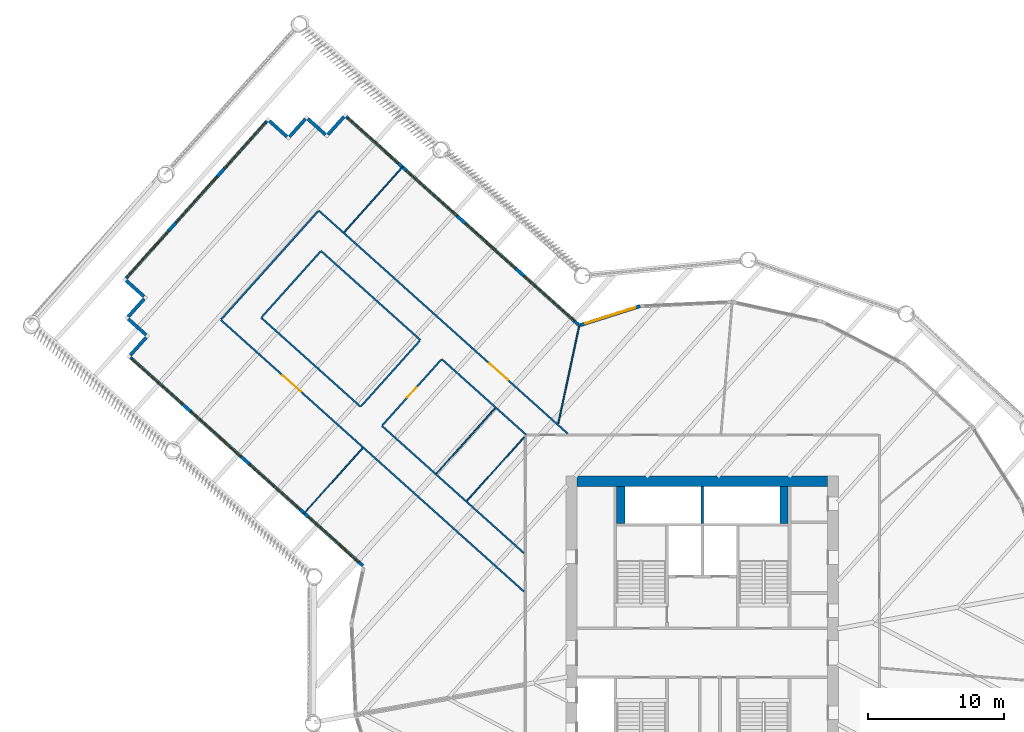
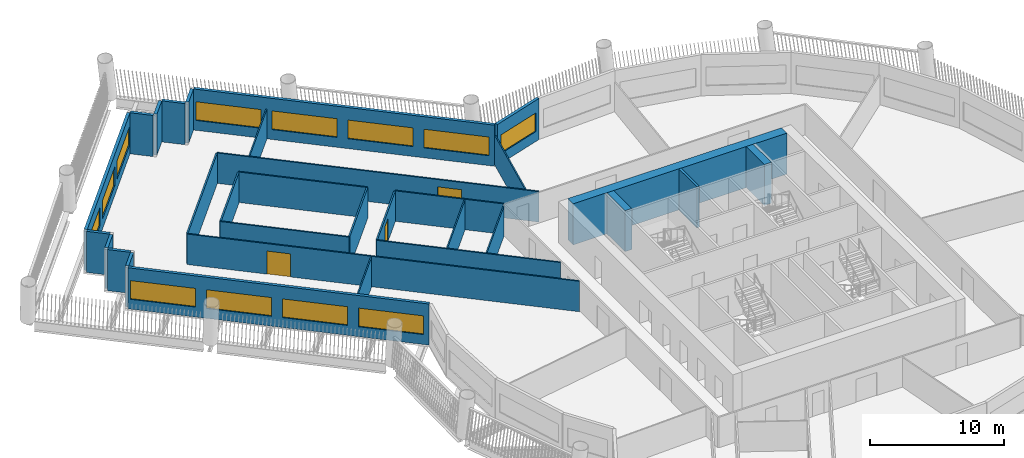
# One storey, part 6 of 16: 31 walls, 12 windows, 3 doors, 15 openings.
"""IFC4 building model written with IfcOpenShell, lengths in metres."""

from ifc_helpers import new_model, si_unit, direction, frame, frame_2d, origin, place, context, subcontext, project, spatial, rectangle, extrude, material, layer, layer_set, type_object, element, fill, save


model = new_model("IFC4")

# Units and contexts
model_context = context("Model", 3, precision=1e-05, world=origin(), true_north=direction((0.0, 1.0)))
body_context = subcontext(model_context, "Body", "Model", "MODEL_VIEW")
ifc_project = project(units=[si_unit("LENGTHUNIT", "METRE"), si_unit("AREAUNIT", "SQUARE_METRE"), si_unit("VOLUMEUNIT", "CUBIC_METRE"), si_unit("PLANEANGLEUNIT", "RADIAN"), si_unit("MASSUNIT", "GRAM", prefix="KILO")], contexts=[model_context])

# Site, building, storey
site_placement = place(None, origin())
site = spatial("IfcSite", under=ifc_project, at=site_placement, CompositionType="ELEMENT")
building_placement = place(site_placement, origin())
building = spatial("IfcBuilding", under=site, at=building_placement, Name="Tarsis Ring Headquarters", CompositionType="ELEMENT")
storey_placement = place(building_placement, frame((0.0, 0.0, 96.699951171875)))
storey = spatial("IfcBuildingStorey", under=building, at=storey_placement, Name="L21", CompositionType="ELEMENT", Elevation=96.699951171875)

# Walls
ifc_material_1 = material(Name="Concrete C60/75", Category="concrete")
ifc_layer_1 = layer(ifc_material_1, 0.800048828125)
ifc_layer_set_1 = layer_set([ifc_layer_1], Name="Core wall 800 C60/75")
wall_type_1 = type_object("IfcWallType", Name="Core wall 800 C60/75", PredefinedType="SHEAR", material=ifc_layer_set_1)
wall_1_placement = place(storey_placement, frame((-9.199951171875, 12.60009765625, 0.0), z_axis=(0.0, 0.0, 1.0), x_axis=(1.0, 0.0, 0.0)))
element("IfcWall", 1, at=wall_1_placement, inside=storey, type_object=wall_type_1, Name="Core wall ON", PredefinedType="SHEAR", context=body_context, shape_type="SweptSolid", body=[
    extrude(rectangle(XDim=18.39990234375, YDim=0.800048828125, at=frame_2d((9.199951171875, 0.0))), origin(), (0.0, 0.0, 1.0), 3.739990234375),
])
ifc_material_2 = material(Name="Gypsum board on steel studs", Category="steel")
ifc_layer_2 = layer(ifc_material_2, 0.10009765625)
ifc_layer_set_2 = layer_set([ifc_layer_2], Name="FL partition 100 unrated")
wall_type_2 = type_object("IfcWallType", Name="FL partition 100 unrated", PredefinedType="PARTITIONING", material=ifc_layer_set_2)
wall_2_placement = place(storey_placement, frame((-10.585205078125, 16.827880859375, 0.0), z_axis=(0.0, 0.0, 1.0), x_axis=(0.209780226428, 0.977748565123, 0.0)))
element("IfcWall", 2, at=wall_2_placement, inside=storey, type_object=wall_type_2, Name="Partition PW3", PredefinedType="PARTITIONING", context=body_context, shape_type="SweptSolid", body=[
    extrude(rectangle(XDim=7.435546875, YDim=0.10009765625, at=frame_2d((3.7177734375, 0.0))), origin(), (0.0, 0.0, 1.0), 2.699951171875),
])
wall_3_placement = place(storey_placement, frame((-19.5244140625, 13.170166015625, 0.0), z_axis=(0.0, 0.0, 1.0), x_axis=(0.667321052079, 0.744770174921, 0.0)))
element("IfcWall", 3, at=wall_3_placement, inside=storey, type_object=wall_type_2, Name="Partition PW3", PredefinedType="PARTITIONING", context=body_context, shape_type="SweptSolid", body=[
    extrude(rectangle(XDim=6.440185546875, YDim=0.10009765625, at=frame_2d((3.22021484375, 0.0))), origin(), (0.0, 0.0, 1.0), 2.699951171875),
])
wall_4_placement = place(storey_placement, frame((-17.28271484375, 11.16162109375, 0.0), z_axis=(0.0, 0.0, 1.0), x_axis=(0.667316148159, 0.744774568851, 0.0)))
element("IfcWall", 4, at=wall_4_placement, inside=storey, type_object=wall_type_2, Name="Partition PW3", PredefinedType="PARTITIONING", context=body_context, shape_type="SweptSolid", body=[
    extrude(rectangle(XDim=6.28173828125, YDim=0.10009765625, at=frame_2d((3.140869140625, 0.0))), origin(), (0.0, 0.0, 1.0), 2.699951171875),
])
for number, where, z_axis, x_axis, name in (
    (5, (-26.303955078125, 30.899169921875, 0.0), (0.0, 0.0, 1.0), (0.667317016014, 0.744773791254, 0.0), "Partition PW3"),
    (6, (-29.289794921875, 10.198486328125, 0.0), (0.0, 0.0, 1.0), (0.667317016014, 0.744773791254, 0.0), "Partition PW3"),
):
    element("IfcWall", number, at=place(storey_placement, frame(where, z_axis=z_axis, x_axis=x_axis)), inside=storey, type_object=wall_type_2, Name=name, PredefinedType="PARTITIONING", context=body_context, shape_type="SweptSolid", body=[
        extrude(rectangle(XDim=6.489990234375, YDim=0.10009765625, at=frame_2d((3.2451171875, 0.0))), origin(), (0.0, 0.0, 1.0), 2.699951171875),
    ])

# Wall, opening, door
ifc_layer_3 = layer(ifc_material_2, 0.125)
ifc_layer_set_3 = layer_set([ifc_layer_3], Name="FL partition 125 EI 60 H2770")
wall_type_3 = type_object("IfcWallType", Name="FL partition 125 EI 60 H2770", PredefinedType="PARTITIONING", material=ifc_layer_set_3)
wall_5_placement = place(storey_placement, frame((-35.361572265625, 24.446533203125, 0.0), z_axis=(0.0, 0.0, 1.0), x_axis=(0.744779778645, -0.667310333595, 0.0)))
wall_5 = element("IfcWall", 7, at=wall_5_placement, inside=storey, type_object=wall_type_3, Name="Partition PW1", PredefinedType="PARTITIONING", context=body_context, shape_type="SweptSolid", body=[
    extrude(rectangle(XDim=29.89453125, YDim=0.125, at=frame_2d((14.947265625, 0.0))), origin(), (0.0, 0.0, 1.0), 2.77001953125),
])
opening_1_placement = place(wall_5_placement, frame((6.10009765625, 0.0, 0.0)))
opening_1 = element("IfcOpeningElement", 8, at=opening_1_placement, cuts=wall_5, Name="Opening D21.01", PredefinedType="OPENING", context=body_context, shape_type="SweptSolid", body=[
    extrude(rectangle(XDim=1.800048828125, YDim=2.10009765625, at=frame_2d((0.89990234375, 1.050048828125))), frame((0.0, 0.072509765625, 0.0), z_axis=(0.0, -1.0, 0.0), x_axis=(1.0, 0.0, 0.0)), (0.0, 0.0, 1.0), 0.14501953125),
])
ifc_material_3 = material(Name="Fire-rated timber door leaf in steel frame", Category="steel")
door_type_1 = type_object("IfcDoorType", Name="FL door FD60-1800", OperationType="DOUBLE_DOOR_SINGLE_SWING", PredefinedType="DOOR", material=ifc_material_3)
door_1_placement = place(opening_1_placement, origin())
door_1 = element("IfcDoor", 9, at=door_1_placement, inside=storey, type_object=door_type_1, Name="Door D21.01", OperationType="DOUBLE_DOOR_SINGLE_SWING", OverallHeight=2.10009765625, OverallWidth=1.800048828125, PredefinedType="DOOR", context=body_context, shape_type="SweptSolid", body=[
    extrude(rectangle(XDim=1.800048828125, YDim=2.10009765625, at=frame_2d((0.89990234375, 1.050048828125))), frame((0.0, 0.02490234375, 0.0), z_axis=(0.0, -1.0, 0.0), x_axis=(1.0, 0.0, 0.0)), (0.0, 0.0, 1.0), 0.050048828125),
])
fill(opening_1, door_1)

wall_6_placement = place(storey_placement, frame((-28.16796875, 32.47509765625, 0.0), z_axis=(0.0, 0.0, 1.0), x_axis=(0.744781869639, -0.667307999845, 0.0)))
wall_6 = element("IfcWall", 10, at=wall_6_placement, inside=storey, type_object=wall_type_3, Name="Partition PW1", PredefinedType="PARTITIONING", context=body_context, shape_type="SweptSolid", body=[
    extrude(rectangle(XDim=24.538818359375, YDim=0.125, at=frame_2d((12.26953125, 0.0))), origin(), (0.0, 0.0, 1.0), 2.77001953125),
])
opening_2_placement = place(wall_6_placement, frame((16.839599609375, 0.0, 0.0)))
opening_2 = element("IfcOpeningElement", 11, at=opening_2_placement, cuts=wall_6, Name="Opening D21.02", PredefinedType="OPENING", context=body_context, shape_type="SweptSolid", body=[
    extrude(rectangle(XDim=1.800048828125, YDim=2.10009765625, at=frame_2d((0.89990234375, 1.050048828125))), frame((0.0, 0.072509765625, 0.0), z_axis=(0.0, -1.0, 0.0), x_axis=(1.0, 0.0, 0.0)), (0.0, 0.0, 1.0), 0.14501953125),
])
door_2_placement = place(opening_2_placement, origin())
door_2 = element("IfcDoor", 12, at=door_2_placement, inside=storey, type_object=door_type_1, Name="Door D21.02", OperationType="DOUBLE_DOOR_SINGLE_SWING", OverallHeight=2.10009765625, OverallWidth=1.800048828125, PredefinedType="DOOR", context=body_context, shape_type="SweptSolid", body=[
    extrude(rectangle(XDim=1.800048828125, YDim=2.10009765625, at=frame_2d((0.89990234375, 1.050048828125))), frame((0.0, 0.02490234375, 0.0), z_axis=(0.0, -1.0, 0.0), x_axis=(1.0, 0.0, 0.0)), (0.0, 0.0, 1.0), 0.050048828125),
])
fill(opening_2, door_2)

# Walls
wall_7_placement = place(storey_placement, frame((-23.533203125, 16.668212890625, 0.0), z_axis=(0.0, 0.0, 1.0), x_axis=(0.744775442744, -0.667315172827, 0.0)))
element("IfcWall", 13, at=wall_7_placement, inside=storey, type_object=wall_type_3, Name="Partition PW1", PredefinedType="PARTITIONING", context=body_context, shape_type="SweptSolid", body=[
    extrude(rectangle(XDim=14.012939453125, YDim=0.125, at=frame_2d((7.00634765625, 0.0))), origin(), (0.0, 0.0, 1.0), 2.77001953125),
])
wall_8_placement = place(storey_placement, frame((-35.321533203125, 24.4912109375, 0.0), z_axis=(0.0, 0.0, 1.0), x_axis=(0.667305495508, 0.744784113461, 0.0)))
element("IfcWall", 14, at=wall_8_placement, inside=storey, type_object=wall_type_3, Name="Partition PW1", PredefinedType="PARTITIONING", context=body_context, shape_type="SweptSolid", body=[
    extrude(rectangle(XDim=10.66015625, YDim=0.125, at=frame_2d((5.330078125, 0.0))), origin(), (0.0, 0.0, 1.0), 2.77001953125),
])
for number, where, z_axis, x_axis, name in (
    (15, (-32.396240234375, 24.609130859375, 0.0), (0.0, 0.0, 1.0), (0.744783744911, -0.66730590685, 0.0), "Partition PW1"),
    (16, (-28.00537109375, 29.510009765625, 0.0), (0.0, 0.0, 1.0), (0.744771363517, -0.667319725533, 0.0), "Partition PW1"),
):
    element("IfcWall", number, at=place(storey_placement, frame(where, z_axis=z_axis, x_axis=x_axis)), inside=storey, type_object=wall_type_3, Name=name, PredefinedType="PARTITIONING", context=body_context, shape_type="SweptSolid", body=[
        extrude(rectangle(XDim=9.800048828125, YDim=0.125, at=frame_2d((4.89990234375, 0.0))), origin(), (0.0, 0.0, 1.0), 2.77001953125),
    ])
wall_9_placement = place(storey_placement, frame((-19.142333984375, 21.56884765625, 0.0), z_axis=(0.0, 0.0, 1.0), x_axis=(0.744772707764, -0.667318225264, 0.0)))
element("IfcWall", 17, at=wall_9_placement, inside=storey, type_object=wall_type_3, Name="Partition PW1", PredefinedType="PARTITIONING", context=body_context, shape_type="SweptSolid", body=[
    extrude(rectangle(XDim=8.315185546875, YDim=0.125, at=frame_2d((4.15771484375, 0.0))), origin(), (0.0, 0.0, 1.0), 2.77001953125),
])

# Wall, opening, door
wall_10_placement = place(storey_placement, frame((-23.493408203125, 16.712890625, 0.0), z_axis=(0.0, 0.0, 1.0), x_axis=(0.667307288258, 0.744782507204, 0.0)))
wall_10 = element("IfcWall", 18, at=wall_10_placement, inside=storey, type_object=wall_type_3, Name="Partition PW1", PredefinedType="PARTITIONING", context=body_context, shape_type="SweptSolid", body=[
    extrude(rectangle(XDim=6.4599609375, YDim=0.125, at=frame_2d((3.22998046875, 0.0))), origin(), (0.0, 0.0, 1.0), 2.77001953125),
])
opening_3_placement = place(wall_10_placement, frame((2.72998046875, 0.0, 0.0)))
opening_3 = element("IfcOpeningElement", 19, at=opening_3_placement, cuts=wall_10, Name="Opening D21.14", PredefinedType="OPENING", context=body_context, shape_type="SweptSolid", body=[
    extrude(rectangle(XDim=1.0, YDim=2.10009765625, at=frame_2d((0.5, 1.050048828125))), frame((0.0, 0.072509765625, 0.0), z_axis=(0.0, -1.0, 0.0), x_axis=(1.0, 0.0, 0.0)), (0.0, 0.0, 1.0), 0.14501953125),
])
door_type_2 = type_object("IfcDoorType", Name="FL door FD60-1000", OperationType="NOTDEFINED", PredefinedType="DOOR", material=ifc_material_3)
door_3_placement = place(opening_3_placement, origin())
door_3 = element("IfcDoor", 20, at=door_3_placement, inside=storey, type_object=door_type_2, Name="Door D21.14", OperationType="SINGLE_SWING_LEFT", OverallHeight=2.10009765625, OverallWidth=1.0, PredefinedType="DOOR", context=body_context, shape_type="SweptSolid", body=[
    extrude(rectangle(XDim=1.0, YDim=2.10009765625, at=frame_2d((0.5, 1.050048828125))), frame((0.0, 0.02490234375, 0.0), z_axis=(0.0, -1.0, 0.0), x_axis=(1.0, 0.0, 0.0)), (0.0, 0.0, 1.0), 0.050048828125),
])
fill(opening_3, door_3)

# Walls
for number, where, z_axis, x_axis, name in (
    (21, (-25.057373046875, 18.1142578125, 0.0), (0.0, 0.0, 1.0), (0.667307288258, 0.744782507204, 0.0), "Partition PW1"),
    (22, (-32.356201171875, 24.65380859375, 0.0), (0.0, 0.0, 1.0), (0.667307288258, 0.744782507204, 0.0), "Partition PW1"),
):
    element("IfcWall", number, at=place(storey_placement, frame(where, z_axis=z_axis, x_axis=x_axis)), inside=storey, type_object=wall_type_3, Name=name, PredefinedType="PARTITIONING", context=body_context, shape_type="SweptSolid", body=[
        extrude(rectangle(XDim=6.4599609375, YDim=0.125, at=frame_2d((3.22998046875, 0.0))), origin(), (0.0, 0.0, 1.0), 2.77001953125),
    ])

# Wall, openings, windows
ifc_material_4 = material(Name="Terracotta clad insulated panel wall", Category="masonry")
ifc_layer_4 = layer(ifc_material_4, 0.25)
ifc_layer_set_4 = layer_set([ifc_layer_4], Name="Facade wall terracotta panel 250")
wall_type_4 = type_object("IfcWallType", Name="Facade wall terracotta panel 250", PredefinedType="STANDARD", material=ifc_layer_set_4)
wall_11_placement = place(storey_placement, frame((-41.997802734375, 21.685302734375, 0.0), z_axis=(0.0, 0.0, 1.0), x_axis=(0.744777325959, -0.667313071008, 0.0)))
wall_11 = element("IfcWall", 23, at=wall_11_placement, inside=storey, type_object=wall_type_4, Name="External wall L21-01", PredefinedType="STANDARD", context=body_context, shape_type="SweptSolid", body=[
    extrude(rectangle(XDim=22.921875, YDim=0.25, at=frame_2d((11.4609375, 0.0))), origin(), (0.0, 0.0, 1.0), 3.739990234375),
])
opening_4_placement = place(wall_11_placement, frame((0.17138671875, 0.0, 0.89990234375)))
opening_4 = element("IfcOpeningElement", 24, at=opening_4_placement, cuts=wall_11, Name="Opening WN05", PredefinedType="OPENING", context=body_context, shape_type="SweptSolid", body=[
    extrude(rectangle(XDim=4.949951171875, YDim=1.699951171875, at=frame_2d((2.47509765625, 0.85009765625))), frame((0.0, 0.135009765625, 0.0), z_axis=(0.0, -1.0, 0.0), x_axis=(1.0, 0.0, 0.0)), (0.0, 0.0, 1.0), 0.27001953125),
])
opening_5_placement = place(wall_11_placement, frame((5.964599609375, 0.0, 0.89990234375)))
opening_5 = element("IfcOpeningElement", 25, at=opening_5_placement, cuts=wall_11, Name="Opening WN05", PredefinedType="OPENING", context=body_context, shape_type="SweptSolid", body=[
    extrude(rectangle(XDim=4.949951171875, YDim=1.699951171875, at=frame_2d((2.47509765625, 0.85009765625))), frame((0.0, 0.135009765625, 0.0), z_axis=(0.0, -1.0, 0.0), x_axis=(1.0, 0.0, 0.0)), (0.0, 0.0, 1.0), 0.27001953125),
])
opening_6_placement = place(wall_11_placement, frame((11.757568359375, 0.0, 0.89990234375)))
opening_6 = element("IfcOpeningElement", 26, at=opening_6_placement, cuts=wall_11, Name="Opening WN05", PredefinedType="OPENING", context=body_context, shape_type="SweptSolid", body=[
    extrude(rectangle(XDim=4.949951171875, YDim=1.699951171875, at=frame_2d((2.47509765625, 0.85009765625))), frame((0.0, 0.135009765625, 0.0), z_axis=(0.0, -1.0, 0.0), x_axis=(1.0, 0.0, 0.0)), (0.0, 0.0, 1.0), 0.27001953125),
])
opening_7_placement = place(wall_11_placement, frame((17.550537109375, 0.0, 0.89990234375)))
opening_7 = element("IfcOpeningElement", 27, at=opening_7_placement, cuts=wall_11, Name="Opening WN05", PredefinedType="OPENING", context=body_context, shape_type="SweptSolid", body=[
    extrude(rectangle(XDim=4.949951171875, YDim=1.699951171875, at=frame_2d((2.47509765625, 0.85009765625))), frame((0.0, 0.135009765625, 0.0), z_axis=(0.0, -1.0, 0.0), x_axis=(1.0, 0.0, 0.0)), (0.0, 0.0, 1.0), 0.27001953125),
])
ifc_material_5 = material(Name="Aluminium framed double glazing", Category="aluminium")
window_type_1 = type_object("IfcWindowType", Name="Facade window 4950 x 1700", PartitioningType="SINGLE_PANEL", PredefinedType="WINDOW", material=ifc_material_5)
window_1_placement = place(opening_4_placement, origin())
window_1 = element("IfcWindow", 28, at=window_1_placement, inside=storey, type_object=window_type_1, Name="Window L21-01.1", OverallHeight=1.699951171875, OverallWidth=4.949951171875, PartitioningType="SINGLE_PANEL", PredefinedType="WINDOW", context=body_context, shape_type="SweptSolid", body=[
    extrude(rectangle(XDim=4.949951171875, YDim=1.699951171875, at=frame_2d((2.47509765625, 0.85009765625))), frame((0.0, 0.030029296875, 0.0), z_axis=(0.0, -1.0, 0.0), x_axis=(1.0, 0.0, 0.0)), (0.0, 0.0, 1.0), 0.06005859375),
])
fill(opening_4, window_1)
window_2_placement = place(opening_5_placement, origin())
window_2 = element("IfcWindow", 29, at=window_2_placement, inside=storey, type_object=window_type_1, Name="Window L21-01.2", OverallHeight=1.699951171875, OverallWidth=4.949951171875, PartitioningType="SINGLE_PANEL", PredefinedType="WINDOW", context=body_context, shape_type="SweptSolid", body=[
    extrude(rectangle(XDim=4.949951171875, YDim=1.699951171875, at=frame_2d((2.47509765625, 0.85009765625))), frame((0.0, 0.030029296875, 0.0), z_axis=(0.0, -1.0, 0.0), x_axis=(1.0, 0.0, 0.0)), (0.0, 0.0, 1.0), 0.06005859375),
])
fill(opening_5, window_2)
window_3_placement = place(opening_6_placement, origin())
window_3 = element("IfcWindow", 30, at=window_3_placement, inside=storey, type_object=window_type_1, Name="Window L21-01.3", OverallHeight=1.699951171875, OverallWidth=4.949951171875, PartitioningType="SINGLE_PANEL", PredefinedType="WINDOW", context=body_context, shape_type="SweptSolid", body=[
    extrude(rectangle(XDim=4.949951171875, YDim=1.699951171875, at=frame_2d((2.47509765625, 0.85009765625))), frame((0.0, 0.030029296875, 0.0), z_axis=(0.0, -1.0, 0.0), x_axis=(1.0, 0.0, 0.0)), (0.0, 0.0, 1.0), 0.06005859375),
])
fill(opening_6, window_3)
window_4_placement = place(opening_7_placement, origin())
window_4 = element("IfcWindow", 31, at=window_4_placement, inside=storey, type_object=window_type_1, Name="Window L21-01.4", OverallHeight=1.699951171875, OverallWidth=4.949951171875, PartitioningType="SINGLE_PANEL", PredefinedType="WINDOW", context=body_context, shape_type="SweptSolid", body=[
    extrude(rectangle(XDim=4.949951171875, YDim=1.699951171875, at=frame_2d((2.47509765625, 0.85009765625))), frame((0.0, 0.030029296875, 0.0), z_axis=(0.0, -1.0, 0.0), x_axis=(1.0, 0.0, 0.0)), (0.0, 0.0, 1.0), 0.06005859375),
])
fill(opening_7, window_4)

# Wall, opening, window
wall_12_placement = place(storey_placement, frame((-4.57080078125, 25.46484375, 0.0), z_axis=(0.0, 0.0, 1.0), x_axis=(-0.952979921216, -0.3030334466, 0.0)))
wall_12 = element("IfcWall", 32, at=wall_12_placement, inside=storey, type_object=wall_type_4, Name="External wall L21-30", PredefinedType="STANDARD", context=body_context, shape_type="SweptSolid", body=[
    extrude(rectangle(XDim=4.617919921875, YDim=0.25, at=frame_2d((2.30908203125, 0.0))), origin(), (0.0, 0.0, 1.0), 3.739990234375),
])
opening_8_placement = place(wall_12_placement, frame((0.367431640625, 0.0, 0.89990234375)))
opening_8 = element("IfcOpeningElement", 33, at=opening_8_placement, cuts=wall_12, Name="Opening WN02", PredefinedType="OPENING", context=body_context, shape_type="SweptSolid", body=[
    extrude(rectangle(XDim=3.85009765625, YDim=1.699951171875, at=frame_2d((1.925048828125, 0.85009765625))), frame((0.0, 0.135009765625, 0.0), z_axis=(0.0, -1.0, 0.0), x_axis=(1.0, 0.0, 0.0)), (0.0, 0.0, 1.0), 0.27001953125),
])
window_type_2 = type_object("IfcWindowType", Name="Facade window 3850 x 1700", PartitioningType="SINGLE_PANEL", PredefinedType="WINDOW", material=ifc_material_5)
window_5_placement = place(opening_8_placement, origin())
window_5 = element("IfcWindow", 34, at=window_5_placement, inside=storey, type_object=window_type_2, Name="Window L21-30.1", OverallHeight=1.699951171875, OverallWidth=3.85009765625, PartitioningType="SINGLE_PANEL", PredefinedType="WINDOW", context=body_context, shape_type="SweptSolid", body=[
    extrude(rectangle(XDim=3.85009765625, YDim=1.699951171875, at=frame_2d((1.925048828125, 0.85009765625))), frame((0.0, 0.030029296875, 0.0), z_axis=(0.0, -1.0, 0.0), x_axis=(1.0, 0.0, 0.0)), (0.0, 0.0, 1.0), 0.06005859375),
])
fill(opening_8, window_5)

# Wall, openings, windows
wall_13_placement = place(storey_placement, frame((-9.0927734375, 24.091552734375, 0.0), z_axis=(0.0, 0.0, 1.0), x_axis=(-0.744780253939, 0.667309803122, 0.0)))
wall_13 = element("IfcWall", 35, at=wall_13_placement, inside=storey, type_object=wall_type_4, Name="External wall L21-31", PredefinedType="STANDARD", context=body_context, shape_type="SweptSolid", body=[
    extrude(rectangle(XDim=22.9013671875, YDim=0.25, at=frame_2d((11.45068359375, 0.0))), origin(), (0.0, 0.0, 1.0), 3.739990234375),
])
opening_9_placement = place(wall_13_placement, frame((0.4189453125, 0.0, 0.89990234375)))
opening_9 = element("IfcOpeningElement", 36, at=opening_9_placement, cuts=wall_13, Name="Opening WN05", PredefinedType="OPENING", context=body_context, shape_type="SweptSolid", body=[
    extrude(rectangle(XDim=4.949951171875, YDim=1.699951171875, at=frame_2d((2.47509765625, 0.85009765625))), frame((0.0, 0.135009765625, 0.0), z_axis=(0.0, -1.0, 0.0), x_axis=(1.0, 0.0, 0.0)), (0.0, 0.0, 1.0), 0.27001953125),
])
opening_10_placement = place(wall_13_placement, frame((6.206787109375, 0.0, 0.89990234375)))
opening_10 = element("IfcOpeningElement", 37, at=opening_10_placement, cuts=wall_13, Name="Opening WN05", PredefinedType="OPENING", context=body_context, shape_type="SweptSolid", body=[
    extrude(rectangle(XDim=4.949951171875, YDim=1.699951171875, at=frame_2d((2.47509765625, 0.85009765625))), frame((0.0, 0.135009765625, 0.0), z_axis=(0.0, -1.0, 0.0), x_axis=(1.0, 0.0, 0.0)), (0.0, 0.0, 1.0), 0.27001953125),
])
opening_11_placement = place(wall_13_placement, frame((11.99462890625, 0.0, 0.89990234375)))
opening_11 = element("IfcOpeningElement", 38, at=opening_11_placement, cuts=wall_13, Name="Opening WN05", PredefinedType="OPENING", context=body_context, shape_type="SweptSolid", body=[
    extrude(rectangle(XDim=4.949951171875, YDim=1.699951171875, at=frame_2d((2.47509765625, 0.85009765625))), frame((0.0, 0.135009765625, 0.0), z_axis=(0.0, -1.0, 0.0), x_axis=(1.0, 0.0, 0.0)), (0.0, 0.0, 1.0), 0.27001953125),
])
opening_12_placement = place(wall_13_placement, frame((17.782470703125, 0.0, 0.89990234375)))
opening_12 = element("IfcOpeningElement", 39, at=opening_12_placement, cuts=wall_13, Name="Opening WN05", PredefinedType="OPENING", context=body_context, shape_type="SweptSolid", body=[
    extrude(rectangle(XDim=4.949951171875, YDim=1.699951171875, at=frame_2d((2.47509765625, 0.85009765625))), frame((0.0, 0.135009765625, 0.0), z_axis=(0.0, -1.0, 0.0), x_axis=(1.0, 0.0, 0.0)), (0.0, 0.0, 1.0), 0.27001953125),
])
window_6_placement = place(opening_9_placement, origin())
window_6 = element("IfcWindow", 40, at=window_6_placement, inside=storey, type_object=window_type_1, Name="Window L21-31.1", OverallHeight=1.699951171875, OverallWidth=4.949951171875, PartitioningType="SINGLE_PANEL", PredefinedType="WINDOW", context=body_context, shape_type="SweptSolid", body=[
    extrude(rectangle(XDim=4.949951171875, YDim=1.699951171875, at=frame_2d((2.47509765625, 0.85009765625))), frame((0.0, 0.030029296875, 0.0), z_axis=(0.0, -1.0, 0.0), x_axis=(1.0, 0.0, 0.0)), (0.0, 0.0, 1.0), 0.06005859375),
])
fill(opening_9, window_6)
window_7_placement = place(opening_10_placement, origin())
window_7 = element("IfcWindow", 41, at=window_7_placement, inside=storey, type_object=window_type_1, Name="Window L21-31.2", OverallHeight=1.699951171875, OverallWidth=4.949951171875, PartitioningType="SINGLE_PANEL", PredefinedType="WINDOW", context=body_context, shape_type="SweptSolid", body=[
    extrude(rectangle(XDim=4.949951171875, YDim=1.699951171875, at=frame_2d((2.47509765625, 0.85009765625))), frame((0.0, 0.030029296875, 0.0), z_axis=(0.0, -1.0, 0.0), x_axis=(1.0, 0.0, 0.0)), (0.0, 0.0, 1.0), 0.06005859375),
])
fill(opening_10, window_7)
window_8_placement = place(opening_11_placement, origin())
window_8 = element("IfcWindow", 42, at=window_8_placement, inside=storey, type_object=window_type_1, Name="Window L21-31.3", OverallHeight=1.699951171875, OverallWidth=4.949951171875, PartitioningType="SINGLE_PANEL", PredefinedType="WINDOW", context=body_context, shape_type="SweptSolid", body=[
    extrude(rectangle(XDim=4.949951171875, YDim=1.699951171875, at=frame_2d((2.47509765625, 0.85009765625))), frame((0.0, 0.030029296875, 0.0), z_axis=(0.0, -1.0, 0.0), x_axis=(1.0, 0.0, 0.0)), (0.0, 0.0, 1.0), 0.06005859375),
])
fill(opening_11, window_8)
window_9_placement = place(opening_12_placement, origin())
window_9 = element("IfcWindow", 43, at=window_9_placement, inside=storey, type_object=window_type_1, Name="Window L21-31.4", OverallHeight=1.699951171875, OverallWidth=4.949951171875, PartitioningType="SINGLE_PANEL", PredefinedType="WINDOW", context=body_context, shape_type="SweptSolid", body=[
    extrude(rectangle(XDim=4.949951171875, YDim=1.699951171875, at=frame_2d((2.47509765625, 0.85009765625))), frame((0.0, 0.030029296875, 0.0), z_axis=(0.0, -1.0, 0.0), x_axis=(1.0, 0.0, 0.0)), (0.0, 0.0, 1.0), 0.06005859375),
])
fill(opening_12, window_9)

# Walls
wall_14_placement = place(storey_placement, frame((-26.32568359375, 39.364013671875, 0.0), z_axis=(0.0, 0.0, 1.0), x_axis=(-0.66740632383, -0.744693761832, 0.0)))
element("IfcWall", 44, at=wall_14_placement, inside=storey, type_object=wall_type_4, Name="External wall L21-32", PredefinedType="STANDARD", context=body_context, shape_type="SweptSolid", body=[
    extrude(rectangle(XDim=1.75, YDim=0.25, at=frame_2d((0.875, 0.0))), origin(), (0.0, 0.0, 1.0), 3.739990234375),
])
wall_15_placement = place(storey_placement, frame((-27.670166015625, 38.051025390625, 0.0), z_axis=(0.0, 0.0, 1.0), x_axis=(-0.744763101609, 0.667328946234, 0.0)))
element("IfcWall", 45, at=wall_15_placement, inside=storey, type_object=wall_type_4, Name="External wall L21-33", PredefinedType="STANDARD", context=body_context, shape_type="SweptSolid", body=[
    extrude(rectangle(XDim=1.749755859375, YDim=0.25, at=frame_2d((0.875, 0.0))), origin(), (0.0, 0.0, 1.0), 3.739990234375),
])
for number, where, z_axis, x_axis, name in (
    (46, (-29.14990234375, 39.209228515625, 0.0), (0.0, 0.0, 1.0), (-0.667259608334, -0.744825224523, 0.0), "External wall L21-34"),
    (47, (-30.494140625, 37.896240234375, 0.0), (0.0, 0.0, 1.0), (-0.744825224523, 0.667259608334, 0.0), "External wall L21-35"),
):
    element("IfcWall", number, at=place(storey_placement, frame(where, z_axis=z_axis, x_axis=x_axis)), inside=storey, type_object=wall_type_4, Name=name, PredefinedType="STANDARD", context=body_context, shape_type="SweptSolid", body=[
        extrude(rectangle(XDim=1.75, YDim=0.25, at=frame_2d((0.875, 0.0))), origin(), (0.0, 0.0, 1.0), 3.739990234375),
    ])

# Wall, openings, windows
wall_16_placement = place(storey_placement, frame((-31.97412109375, 39.05419921875, 0.0), z_axis=(0.0, 0.0, 1.0), x_axis=(-0.667313128983, -0.744777274013, 0.0)))
wall_16 = element("IfcWall", 48, at=wall_16_placement, inside=storey, type_object=wall_type_4, Name="External wall L21-36", PredefinedType="STANDARD", context=body_context, shape_type="SweptSolid", body=[
    extrude(rectangle(XDim=15.499755859375, YDim=0.25, at=frame_2d((7.75, 0.0))), origin(), (0.0, 0.0, 1.0), 3.739990234375),
])
opening_13_placement = place(wall_16_placement, frame((0.166748046875, 0.0, 0.89990234375)))
opening_13 = element("IfcOpeningElement", 49, at=opening_13_placement, cuts=wall_16, Name="Opening WN04", PredefinedType="OPENING", context=body_context, shape_type="SweptSolid", body=[
    extrude(rectangle(XDim=4.5, YDim=1.699951171875, at=frame_2d((2.25, 0.85009765625))), frame((0.0, 0.135009765625, 0.0), z_axis=(0.0, -1.0, 0.0), x_axis=(1.0, 0.0, 0.0)), (0.0, 0.0, 1.0), 0.27001953125),
])
opening_14_placement = place(wall_16_placement, frame((5.5, 0.0, 0.89990234375)))
opening_14 = element("IfcOpeningElement", 50, at=opening_14_placement, cuts=wall_16, Name="Opening WN04", PredefinedType="OPENING", context=body_context, shape_type="SweptSolid", body=[
    extrude(rectangle(XDim=4.5, YDim=1.699951171875, at=frame_2d((2.25, 0.85009765625))), frame((0.0, 0.135009765625, 0.0), z_axis=(0.0, -1.0, 0.0), x_axis=(1.0, 0.0, 0.0)), (0.0, 0.0, 1.0), 0.27001953125),
])
opening_15_placement = place(wall_16_placement, frame((10.833251953125, 0.0, 0.89990234375)))
opening_15 = element("IfcOpeningElement", 51, at=opening_15_placement, cuts=wall_16, Name="Opening WN04", PredefinedType="OPENING", context=body_context, shape_type="SweptSolid", body=[
    extrude(rectangle(XDim=4.5, YDim=1.699951171875, at=frame_2d((2.25, 0.85009765625))), frame((0.0, 0.135009765625, 0.0), z_axis=(0.0, -1.0, 0.0), x_axis=(1.0, 0.0, 0.0)), (0.0, 0.0, 1.0), 0.27001953125),
])
window_type_3 = type_object("IfcWindowType", Name="Facade window 4500 x 1700", PartitioningType="SINGLE_PANEL", PredefinedType="WINDOW", material=ifc_material_5)
window_10_placement = place(opening_13_placement, origin())
window_10 = element("IfcWindow", 52, at=window_10_placement, inside=storey, type_object=window_type_3, Name="Window L21-36.1", OverallHeight=1.699951171875, OverallWidth=4.5, PartitioningType="SINGLE_PANEL", PredefinedType="WINDOW", context=body_context, shape_type="SweptSolid", body=[
    extrude(rectangle(XDim=4.5, YDim=1.699951171875, at=frame_2d((2.25, 0.85009765625))), frame((0.0, 0.030029296875, 0.0), z_axis=(0.0, -1.0, 0.0), x_axis=(1.0, 0.0, 0.0)), (0.0, 0.0, 1.0), 0.06005859375),
])
fill(opening_13, window_10)
window_11_placement = place(opening_14_placement, origin())
window_11 = element("IfcWindow", 53, at=window_11_placement, inside=storey, type_object=window_type_3, Name="Window L21-36.2", OverallHeight=1.699951171875, OverallWidth=4.5, PartitioningType="SINGLE_PANEL", PredefinedType="WINDOW", context=body_context, shape_type="SweptSolid", body=[
    extrude(rectangle(XDim=4.5, YDim=1.699951171875, at=frame_2d((2.25, 0.85009765625))), frame((0.0, 0.030029296875, 0.0), z_axis=(0.0, -1.0, 0.0), x_axis=(1.0, 0.0, 0.0)), (0.0, 0.0, 1.0), 0.06005859375),
])
fill(opening_14, window_11)
window_12_placement = place(opening_15_placement, origin())
window_12 = element("IfcWindow", 54, at=window_12_placement, inside=storey, type_object=window_type_3, Name="Window L21-36.3", OverallHeight=1.699951171875, OverallWidth=4.5, PartitioningType="SINGLE_PANEL", PredefinedType="WINDOW", context=body_context, shape_type="SweptSolid", body=[
    extrude(rectangle(XDim=4.5, YDim=1.699951171875, at=frame_2d((2.25, 0.85009765625))), frame((0.0, 0.030029296875, 0.0), z_axis=(0.0, -1.0, 0.0), x_axis=(1.0, 0.0, 0.0)), (0.0, 0.0, 1.0), 0.06005859375),
])
fill(opening_15, window_12)

# Walls
wall_17_placement = place(storey_placement, frame((-42.307861328125, 27.333740234375, 0.0), z_axis=(0.0, 0.0, 1.0), x_axis=(0.74475589337, -0.6673369908, 0.0)))
element("IfcWall", 55, at=wall_17_placement, inside=storey, type_object=wall_type_4, Name="External wall L21-37", PredefinedType="STANDARD", context=body_context, shape_type="SweptSolid", body=[
    extrude(rectangle(XDim=1.750244140625, YDim=0.25, at=frame_2d((0.875, 0.0))), origin(), (0.0, 0.0, 1.0), 3.739990234375),
])
for number, where, z_axis, x_axis, name in (
    (56, (-40.99462890625, 25.9892578125, 0.0), (0.0, 0.0, 1.0), (-0.66740632383, -0.744693761832, 0.0), "External wall L21-38"),
    (57, (-42.15283203125, 24.509521484375, 0.0), (0.0, 0.0, 1.0), (0.744825224523, -0.667259608334, 0.0), "External wall L21-39"),
    (58, (-40.83984375, 23.165283203125, 0.0), (0.0, 0.0, 1.0), (-0.667259608334, -0.744825224523, 0.0), "External wall L21-40"),
):
    element("IfcWall", number, at=place(storey_placement, frame(where, z_axis=z_axis, x_axis=x_axis)), inside=storey, type_object=wall_type_4, Name=name, PredefinedType="STANDARD", context=body_context, shape_type="SweptSolid", body=[
        extrude(rectangle(XDim=1.75, YDim=0.25, at=frame_2d((0.875, 0.0))), origin(), (0.0, 0.0, 1.0), 3.739990234375),
    ])
ifc_material_6 = material(Name="Concrete C32/40", Category="concrete")
ifc_layer_5 = layer(ifc_material_6, 0.60009765625)
ifc_layer_set_5 = layer_set([ifc_layer_5], Name="Shaft end wall 600 C32/40")
wall_type_5 = type_object("IfcWallType", Name="Shaft end wall 600 C32/40", PredefinedType="SOLIDWALL", material=ifc_layer_set_5)
for number, where, z_axis, x_axis, name in (
    (59, (-6.0, 9.5, 0.0), (0.0, 0.0, 1.0), (0.0, 1.0, 0.0), "Core shaft wall NNE1"),
    (60, (6.0, 9.5, 0.0), (0.0, 0.0, 1.0), (0.0, 1.0, 0.0), "Core shaft wall NNE2"),
):
    element("IfcWall", number, at=place(storey_placement, frame(where, z_axis=z_axis, x_axis=x_axis)), inside=storey, type_object=wall_type_5, Name=name, PredefinedType="SOLIDWALL", context=body_context, shape_type="SweptSolid", body=[
        extrude(rectangle(XDim=2.699951171875, YDim=0.60009765625, at=frame_2d((1.35009765625, 0.0))), origin(), (0.0, 0.0, 1.0), 3.739990234375),
    ])
ifc_layer_6 = layer(ifc_material_6, 0.199951171875)
ifc_layer_set_6 = layer_set([ifc_layer_6], Name="Shaft wall 200 C32/40")
wall_type_6 = type_object("IfcWallType", Name="Shaft wall 200 C32/40", PredefinedType="SOLIDWALL", material=ifc_layer_set_6)
wall_18_placement = place(storey_placement, frame((0.0, 9.5, 0.0), z_axis=(0.0, 0.0, 1.0), x_axis=(0.0, 1.0, 0.0)))
element("IfcWall", 61, at=wall_18_placement, inside=storey, type_object=wall_type_6, Name="Core shaft wall ND2", PredefinedType="SOLIDWALL", context=body_context, shape_type="SweptSolid", body=[
    extrude(rectangle(XDim=2.699951171875, YDim=0.199951171875, at=frame_2d((1.35009765625, 0.0))), origin(), (0.0, 0.0, 1.0), 3.739990234375),
])

save(model, "model.ifc")
